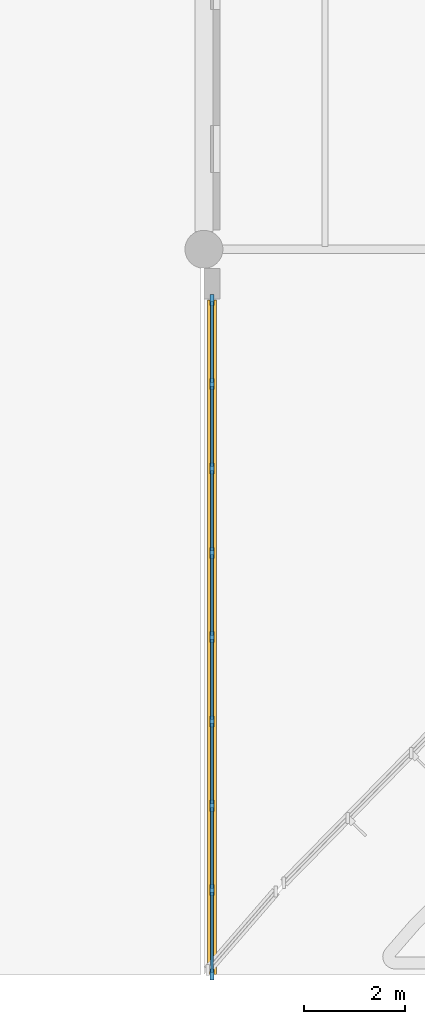
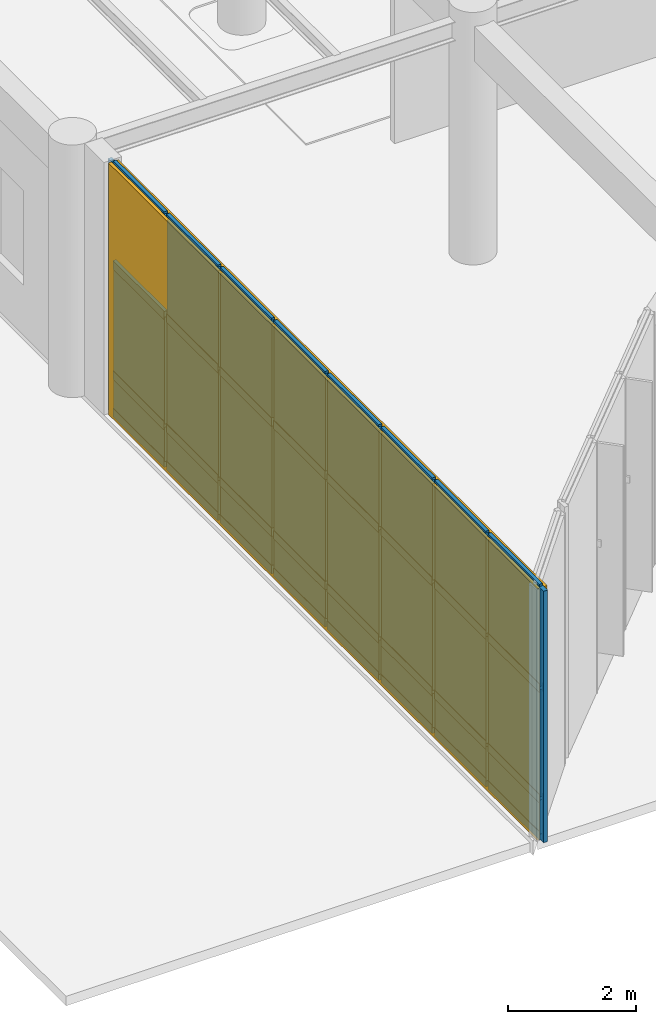
# One storey, part 55 of 122: 41 members, 23 plates, 1 curtain wall.
"""IFC4 building model written with IfcOpenShell, lengths in metres."""

from ifc_helpers import new_model, si_unit, direction, frame, frame_2d, origin, origin_2d, place, context, subcontext, project, spatial, rectangle, extrude, material, layer, layer_set, material_profile, profile_set, type_object, element, aggregate, save


model = new_model("IFC4")

# Units and contexts
model_context = context("Model", 3, precision=1e-05, world=origin(), true_north=direction((0.0, 1.0)))
body_context = subcontext(model_context, "Body", "Model", "MODEL_VIEW")
ifc_project = project(units=[si_unit("LENGTHUNIT", "METRE"), si_unit("AREAUNIT", "SQUARE_METRE"), si_unit("VOLUMEUNIT", "CUBIC_METRE"), si_unit("PLANEANGLEUNIT", "RADIAN"), si_unit("MASSUNIT", "GRAM", prefix="KILO")], contexts=[model_context])

# Member
ifc_material_1 = material(Name="Anodised Bronze Aluminium 6063-T6", Category="aluminium")
ifc_material_profile_1 = material_profile(ifc_material_1, rectangle(XDim=0.070068359375, YDim=0.219970703125, at=origin_2d()), Name="ALU MULLION 70x220")
ifc_profile_set_1 = profile_set([ifc_material_profile_1], Name="Anodised Bronze Aluminium 6063-T6")
member_type_1 = type_object("IfcMemberType", Name="Curtain-Wall Heavy Mullion 70x220", PredefinedType="MULLION", material=ifc_profile_set_1)
site_placement = place(None, origin())
building_placement = place(site_placement, origin())
storey_placement = place(building_placement, origin())
member_1_placement = place(storey_placement, frame((36.159912109375, 1.449951171875, 0.0), z_axis=(0.0, 0.0, 1.0), x_axis=(1.0, 0.0, 0.0)))
member_1 = element("IfcMember", 1, at=member_1_placement, type_object=member_type_1, Name="Mullion CWM-02 CW-V5-RET-W-L00-M01", PredefinedType="MULLION", context=body_context, shape_type="SweptSolid", body=[
    extrude(rectangle(XDim=0.070068359375, YDim=0.219970703125, at=origin_2d()), origin(), (0.0, 0.0, 1.0), 4.780029296875),
])

member_2_placement = place(storey_placement, frame((36.159912109375, 3.118896484375, 0.0), z_axis=(0.0, 0.0, 1.0), x_axis=(1.0, 0.0, 0.0)))
member_2 = element("IfcMember", 2, at=member_2_placement, type_object=member_type_1, Name="Mullion CWM-02 CW-V5-RET-W-L00-M02", PredefinedType="MULLION", context=body_context, shape_type="SweptSolid", body=[
    extrude(rectangle(XDim=0.070068359375, YDim=0.219970703125, at=origin_2d()), origin(), (0.0, 0.0, 1.0), 4.780029296875),
])

member_3_placement = place(storey_placement, frame((36.159912109375, 4.78759765625, 0.0), z_axis=(0.0, 0.0, 1.0), x_axis=(1.0, 0.0, 0.0)))
member_3 = element("IfcMember", 3, at=member_3_placement, type_object=member_type_1, Name="Mullion CWM-02 CW-V5-RET-W-L00-M03", PredefinedType="MULLION", context=body_context, shape_type="SweptSolid", body=[
    extrude(rectangle(XDim=0.070068359375, YDim=0.219970703125, at=origin_2d()), origin(), (0.0, 0.0, 1.0), 4.780029296875),
])

member_4_placement = place(storey_placement, frame((36.159912109375, 6.456298828125, 0.0), z_axis=(0.0, 0.0, 1.0), x_axis=(1.0, 0.0, 0.0)))
member_4 = element("IfcMember", 4, at=member_4_placement, type_object=member_type_1, Name="Mullion CWM-02 CW-V5-RET-W-L00-M04", PredefinedType="MULLION", context=body_context, shape_type="SweptSolid", body=[
    extrude(rectangle(XDim=0.070068359375, YDim=0.219970703125, at=origin_2d()), origin(), (0.0, 0.0, 1.0), 4.780029296875),
])

member_5_placement = place(storey_placement, frame((36.159912109375, 8.125, 0.0), z_axis=(0.0, 0.0, 1.0), x_axis=(1.0, 0.0, 0.0)))
member_5 = element("IfcMember", 5, at=member_5_placement, type_object=member_type_1, Name="Mullion CWM-02 CW-V5-RET-W-L00-M05", PredefinedType="MULLION", context=body_context, shape_type="SweptSolid", body=[
    extrude(rectangle(XDim=0.070068359375, YDim=0.219970703125, at=origin_2d()), origin(), (0.0, 0.0, 1.0), 4.780029296875),
])

member_6_placement = place(storey_placement, frame((36.159912109375, 9.793701171875, 0.0), z_axis=(0.0, 0.0, 1.0), x_axis=(1.0, 0.0, 0.0)))
member_6 = element("IfcMember", 6, at=member_6_placement, type_object=member_type_1, Name="Mullion CWM-02 CW-V5-RET-W-L00-M06", PredefinedType="MULLION", context=body_context, shape_type="SweptSolid", body=[
    extrude(rectangle(XDim=0.070068359375, YDim=0.219970703125, at=origin_2d()), origin(), (0.0, 0.0, 1.0), 4.780029296875),
])

member_7_placement = place(storey_placement, frame((36.159912109375, 11.46240234375, 0.0), z_axis=(0.0, 0.0, 1.0), x_axis=(1.0, 0.0, 0.0)))
member_7 = element("IfcMember", 7, at=member_7_placement, type_object=member_type_1, Name="Mullion CWM-02 CW-V5-RET-W-L00-M07", PredefinedType="MULLION", context=body_context, shape_type="SweptSolid", body=[
    extrude(rectangle(XDim=0.070068359375, YDim=0.219970703125, at=origin_2d()), origin(), (0.0, 0.0, 1.0), 4.780029296875),
])

member_8_placement = place(storey_placement, frame((36.159912109375, 13.13134765625, 0.0), z_axis=(0.0, 0.0, 1.0), x_axis=(1.0, 0.0, 0.0)))
member_8 = element("IfcMember", 8, at=member_8_placement, type_object=member_type_1, Name="Mullion CWM-02 CW-V5-RET-W-L00-M08", PredefinedType="MULLION", context=body_context, shape_type="SweptSolid", body=[
    extrude(rectangle(XDim=0.070068359375, YDim=0.219970703125, at=origin_2d()), origin(), (0.0, 0.0, 1.0), 4.780029296875),
])

member_9_placement = place(storey_placement, frame((36.159912109375, 14.800048828125, 0.0), z_axis=(0.0, 0.0, 1.0), x_axis=(1.0, 0.0, 0.0)))
member_9 = element("IfcMember", 9, at=member_9_placement, type_object=member_type_1, Name="Mullion CWM-02 CW-V5-RET-W-L00-M09", PredefinedType="MULLION", context=body_context, shape_type="SweptSolid", body=[
    extrude(rectangle(XDim=0.070068359375, YDim=0.219970703125, at=origin_2d()), origin(), (0.0, 0.0, 1.0), 4.780029296875),
])

ifc_material_profile_2 = material_profile(ifc_material_1, rectangle(XDim=0.06005859375, YDim=0.159912109375, at=origin_2d()), Name="ALU TRANSOM 60x160")
ifc_profile_set_2 = profile_set([ifc_material_profile_2], Name="Anodised Bronze Aluminium 6063-T6")
member_type_2 = type_object("IfcMemberType", Name="Curtain-Wall Heavy Transom 60x160", PredefinedType="USERDEFINED", material=ifc_profile_set_2)
member_10_placement = place(storey_placement, frame((36.159912109375, 1.485107421875, 0.0400390625), z_axis=(0.0, 1.0, 0.0), x_axis=(-1.0, 0.0, 0.0)))
member_10 = element("IfcMember", 10, at=member_10_placement, type_object=member_type_2, Name="Transom CWT-02 CW-V5-RET-W-L00-T01.1", ObjectType="TRANSOM", PredefinedType="USERDEFINED", context=body_context, shape_type="SweptSolid", body=[
    extrude(rectangle(XDim=0.06005859375, YDim=0.159912109375, at=origin_2d()), origin(), (0.0, 0.0, 1.0), 1.5986328125),
])

member_11_placement = place(storey_placement, frame((36.159912109375, 1.485107421875, 0.75), z_axis=(0.0, 1.0, 0.0), x_axis=(-1.0, 0.0, 0.0)))
member_11 = element("IfcMember", 11, at=member_11_placement, type_object=member_type_2, Name="Transom CWT-02 CW-V5-RET-W-L00-T01.2", ObjectType="TRANSOM", PredefinedType="USERDEFINED", context=body_context, shape_type="SweptSolid", body=[
    extrude(rectangle(XDim=0.06005859375, YDim=0.159912109375, at=origin_2d()), origin(), (0.0, 0.0, 1.0), 1.5986328125),
])

member_12_placement = place(storey_placement, frame((36.159912109375, 1.485107421875, 2.845703125), z_axis=(0.0, 1.0, 0.0), x_axis=(-1.0, 0.0, 0.0)))
member_12 = element("IfcMember", 12, at=member_12_placement, type_object=member_type_2, Name="Transom CWT-02 CW-V5-RET-W-L00-T01.3", ObjectType="TRANSOM", PredefinedType="USERDEFINED", context=body_context, shape_type="SweptSolid", body=[
    extrude(rectangle(XDim=0.06005859375, YDim=0.159912109375, at=origin_2d()), origin(), (0.0, 0.0, 1.0), 1.5986328125),
])

member_13_placement = place(storey_placement, frame((36.159912109375, 1.485107421875, 4.739990234375), z_axis=(0.0, 1.0, 0.0), x_axis=(-1.0, 0.0, 0.0)))
member_13 = element("IfcMember", 13, at=member_13_placement, type_object=member_type_2, Name="Transom CWT-02 CW-V5-RET-W-L00-T01.4", ObjectType="TRANSOM", PredefinedType="USERDEFINED", context=body_context, shape_type="SweptSolid", body=[
    extrude(rectangle(XDim=0.06005859375, YDim=0.159912109375, at=origin_2d()), origin(), (0.0, 0.0, 1.0), 1.5986328125),
])

member_14_placement = place(storey_placement, frame((36.159912109375, 3.15380859375, 0.0400390625), z_axis=(0.0, 1.0, 0.0), x_axis=(-1.0, 0.0, 0.0)))
member_14 = element("IfcMember", 14, at=member_14_placement, type_object=member_type_2, Name="Transom CWT-02 CW-V5-RET-W-L00-T02.1", ObjectType="TRANSOM", PredefinedType="USERDEFINED", context=body_context, shape_type="SweptSolid", body=[
    extrude(rectangle(XDim=0.06005859375, YDim=0.159912109375, at=origin_2d()), origin(), (0.0, 0.0, 1.0), 1.5986328125),
])

member_15_placement = place(storey_placement, frame((36.159912109375, 3.15380859375, 0.75), z_axis=(0.0, 1.0, 0.0), x_axis=(-1.0, 0.0, 0.0)))
member_15 = element("IfcMember", 15, at=member_15_placement, type_object=member_type_2, Name="Transom CWT-02 CW-V5-RET-W-L00-T02.2", ObjectType="TRANSOM", PredefinedType="USERDEFINED", context=body_context, shape_type="SweptSolid", body=[
    extrude(rectangle(XDim=0.06005859375, YDim=0.159912109375, at=origin_2d()), origin(), (0.0, 0.0, 1.0), 1.5986328125),
])

member_16_placement = place(storey_placement, frame((36.159912109375, 3.15380859375, 2.845703125), z_axis=(0.0, 1.0, 0.0), x_axis=(-1.0, 0.0, 0.0)))
member_16 = element("IfcMember", 16, at=member_16_placement, type_object=member_type_2, Name="Transom CWT-02 CW-V5-RET-W-L00-T02.3", ObjectType="TRANSOM", PredefinedType="USERDEFINED", context=body_context, shape_type="SweptSolid", body=[
    extrude(rectangle(XDim=0.06005859375, YDim=0.159912109375, at=origin_2d()), origin(), (0.0, 0.0, 1.0), 1.5986328125),
])

member_17_placement = place(storey_placement, frame((36.159912109375, 3.15380859375, 4.739990234375), z_axis=(0.0, 1.0, 0.0), x_axis=(-1.0, 0.0, 0.0)))
member_17 = element("IfcMember", 17, at=member_17_placement, type_object=member_type_2, Name="Transom CWT-02 CW-V5-RET-W-L00-T02.4", ObjectType="TRANSOM", PredefinedType="USERDEFINED", context=body_context, shape_type="SweptSolid", body=[
    extrude(rectangle(XDim=0.06005859375, YDim=0.159912109375, at=origin_2d()), origin(), (0.0, 0.0, 1.0), 1.5986328125),
])

member_18_placement = place(storey_placement, frame((36.159912109375, 4.822509765625, 0.0400390625), z_axis=(0.0, 1.0, 0.0), x_axis=(-1.0, 0.0, 0.0)))
member_18 = element("IfcMember", 18, at=member_18_placement, type_object=member_type_2, Name="Transom CWT-02 CW-V5-RET-W-L00-T03.1", ObjectType="TRANSOM", PredefinedType="USERDEFINED", context=body_context, shape_type="SweptSolid", body=[
    extrude(rectangle(XDim=0.06005859375, YDim=0.159912109375, at=origin_2d()), origin(), (0.0, 0.0, 1.0), 1.598876953125),
])

member_19_placement = place(storey_placement, frame((36.159912109375, 4.822509765625, 0.75), z_axis=(0.0, 1.0, 0.0), x_axis=(-1.0, 0.0, 0.0)))
member_19 = element("IfcMember", 19, at=member_19_placement, type_object=member_type_2, Name="Transom CWT-02 CW-V5-RET-W-L00-T03.2", ObjectType="TRANSOM", PredefinedType="USERDEFINED", context=body_context, shape_type="SweptSolid", body=[
    extrude(rectangle(XDim=0.06005859375, YDim=0.159912109375, at=origin_2d()), origin(), (0.0, 0.0, 1.0), 1.598876953125),
])

member_20_placement = place(storey_placement, frame((36.159912109375, 4.822509765625, 2.845703125), z_axis=(0.0, 1.0, 0.0), x_axis=(-1.0, 0.0, 0.0)))
member_20 = element("IfcMember", 20, at=member_20_placement, type_object=member_type_2, Name="Transom CWT-02 CW-V5-RET-W-L00-T03.3", ObjectType="TRANSOM", PredefinedType="USERDEFINED", context=body_context, shape_type="SweptSolid", body=[
    extrude(rectangle(XDim=0.06005859375, YDim=0.159912109375, at=origin_2d()), origin(), (0.0, 0.0, 1.0), 1.598876953125),
])

member_21_placement = place(storey_placement, frame((36.159912109375, 4.822509765625, 4.739990234375), z_axis=(0.0, 1.0, 0.0), x_axis=(-1.0, 0.0, 0.0)))
member_21 = element("IfcMember", 21, at=member_21_placement, type_object=member_type_2, Name="Transom CWT-02 CW-V5-RET-W-L00-T03.4", ObjectType="TRANSOM", PredefinedType="USERDEFINED", context=body_context, shape_type="SweptSolid", body=[
    extrude(rectangle(XDim=0.06005859375, YDim=0.159912109375, at=origin_2d()), origin(), (0.0, 0.0, 1.0), 1.598876953125),
])

member_22_placement = place(storey_placement, frame((36.159912109375, 6.4912109375, 0.0400390625), z_axis=(0.0, 1.0, 0.0), x_axis=(-1.0, 0.0, 0.0)))
member_22 = element("IfcMember", 22, at=member_22_placement, type_object=member_type_2, Name="Transom CWT-02 CW-V5-RET-W-L00-T04.1", ObjectType="TRANSOM", PredefinedType="USERDEFINED", context=body_context, shape_type="SweptSolid", body=[
    extrude(rectangle(XDim=0.06005859375, YDim=0.159912109375, at=origin_2d()), origin(), (0.0, 0.0, 1.0), 1.598876953125),
])

member_23_placement = place(storey_placement, frame((36.159912109375, 6.4912109375, 0.75), z_axis=(0.0, 1.0, 0.0), x_axis=(-1.0, 0.0, 0.0)))
member_23 = element("IfcMember", 23, at=member_23_placement, type_object=member_type_2, Name="Transom CWT-02 CW-V5-RET-W-L00-T04.2", ObjectType="TRANSOM", PredefinedType="USERDEFINED", context=body_context, shape_type="SweptSolid", body=[
    extrude(rectangle(XDim=0.06005859375, YDim=0.159912109375, at=origin_2d()), origin(), (0.0, 0.0, 1.0), 1.598876953125),
])

member_24_placement = place(storey_placement, frame((36.159912109375, 6.4912109375, 2.845703125), z_axis=(0.0, 1.0, 0.0), x_axis=(-1.0, 0.0, 0.0)))
member_24 = element("IfcMember", 24, at=member_24_placement, type_object=member_type_2, Name="Transom CWT-02 CW-V5-RET-W-L00-T04.3", ObjectType="TRANSOM", PredefinedType="USERDEFINED", context=body_context, shape_type="SweptSolid", body=[
    extrude(rectangle(XDim=0.06005859375, YDim=0.159912109375, at=origin_2d()), origin(), (0.0, 0.0, 1.0), 1.598876953125),
])

member_25_placement = place(storey_placement, frame((36.159912109375, 6.4912109375, 4.739990234375), z_axis=(0.0, 1.0, 0.0), x_axis=(-1.0, 0.0, 0.0)))
member_25 = element("IfcMember", 25, at=member_25_placement, type_object=member_type_2, Name="Transom CWT-02 CW-V5-RET-W-L00-T04.4", ObjectType="TRANSOM", PredefinedType="USERDEFINED", context=body_context, shape_type="SweptSolid", body=[
    extrude(rectangle(XDim=0.06005859375, YDim=0.159912109375, at=origin_2d()), origin(), (0.0, 0.0, 1.0), 1.598876953125),
])

member_26_placement = place(storey_placement, frame((36.159912109375, 8.159912109375, 0.0400390625), z_axis=(0.0, 1.0, 0.0), x_axis=(-1.0, 0.0, 0.0)))
member_26 = element("IfcMember", 26, at=member_26_placement, type_object=member_type_2, Name="Transom CWT-02 CW-V5-RET-W-L00-T05.1", ObjectType="TRANSOM", PredefinedType="USERDEFINED", context=body_context, shape_type="SweptSolid", body=[
    extrude(rectangle(XDim=0.06005859375, YDim=0.159912109375, at=origin_2d()), origin(), (0.0, 0.0, 1.0), 1.598876953125),
])

member_27_placement = place(storey_placement, frame((36.159912109375, 8.159912109375, 0.75), z_axis=(0.0, 1.0, 0.0), x_axis=(-1.0, 0.0, 0.0)))
member_27 = element("IfcMember", 27, at=member_27_placement, type_object=member_type_2, Name="Transom CWT-02 CW-V5-RET-W-L00-T05.2", ObjectType="TRANSOM", PredefinedType="USERDEFINED", context=body_context, shape_type="SweptSolid", body=[
    extrude(rectangle(XDim=0.06005859375, YDim=0.159912109375, at=origin_2d()), origin(), (0.0, 0.0, 1.0), 1.598876953125),
])

member_28_placement = place(storey_placement, frame((36.159912109375, 8.159912109375, 2.845703125), z_axis=(0.0, 1.0, 0.0), x_axis=(-1.0, 0.0, 0.0)))
member_28 = element("IfcMember", 28, at=member_28_placement, type_object=member_type_2, Name="Transom CWT-02 CW-V5-RET-W-L00-T05.3", ObjectType="TRANSOM", PredefinedType="USERDEFINED", context=body_context, shape_type="SweptSolid", body=[
    extrude(rectangle(XDim=0.06005859375, YDim=0.159912109375, at=origin_2d()), origin(), (0.0, 0.0, 1.0), 1.598876953125),
])

member_29_placement = place(storey_placement, frame((36.159912109375, 8.159912109375, 4.739990234375), z_axis=(0.0, 1.0, 0.0), x_axis=(-1.0, 0.0, 0.0)))
member_29 = element("IfcMember", 29, at=member_29_placement, type_object=member_type_2, Name="Transom CWT-02 CW-V5-RET-W-L00-T05.4", ObjectType="TRANSOM", PredefinedType="USERDEFINED", context=body_context, shape_type="SweptSolid", body=[
    extrude(rectangle(XDim=0.06005859375, YDim=0.159912109375, at=origin_2d()), origin(), (0.0, 0.0, 1.0), 1.598876953125),
])

member_30_placement = place(storey_placement, frame((36.159912109375, 9.82861328125, 0.0400390625), z_axis=(0.0, 1.0, 0.0), x_axis=(-1.0, 0.0, 0.0)))
member_30 = element("IfcMember", 30, at=member_30_placement, type_object=member_type_2, Name="Transom CWT-02 CW-V5-RET-W-L00-T06.1", ObjectType="TRANSOM", PredefinedType="USERDEFINED", context=body_context, shape_type="SweptSolid", body=[
    extrude(rectangle(XDim=0.06005859375, YDim=0.159912109375, at=origin_2d()), origin(), (0.0, 0.0, 1.0), 1.598876953125),
])

member_31_placement = place(storey_placement, frame((36.159912109375, 9.82861328125, 0.75), z_axis=(0.0, 1.0, 0.0), x_axis=(-1.0, 0.0, 0.0)))
member_31 = element("IfcMember", 31, at=member_31_placement, type_object=member_type_2, Name="Transom CWT-02 CW-V5-RET-W-L00-T06.2", ObjectType="TRANSOM", PredefinedType="USERDEFINED", context=body_context, shape_type="SweptSolid", body=[
    extrude(rectangle(XDim=0.06005859375, YDim=0.159912109375, at=origin_2d()), origin(), (0.0, 0.0, 1.0), 1.598876953125),
])

member_32_placement = place(storey_placement, frame((36.159912109375, 9.82861328125, 2.845703125), z_axis=(0.0, 1.0, 0.0), x_axis=(-1.0, 0.0, 0.0)))
member_32 = element("IfcMember", 32, at=member_32_placement, type_object=member_type_2, Name="Transom CWT-02 CW-V5-RET-W-L00-T06.3", ObjectType="TRANSOM", PredefinedType="USERDEFINED", context=body_context, shape_type="SweptSolid", body=[
    extrude(rectangle(XDim=0.06005859375, YDim=0.159912109375, at=origin_2d()), origin(), (0.0, 0.0, 1.0), 1.598876953125),
])

member_33_placement = place(storey_placement, frame((36.159912109375, 9.82861328125, 4.739990234375), z_axis=(0.0, 1.0, 0.0), x_axis=(-1.0, 0.0, 0.0)))
member_33 = element("IfcMember", 33, at=member_33_placement, type_object=member_type_2, Name="Transom CWT-02 CW-V5-RET-W-L00-T06.4", ObjectType="TRANSOM", PredefinedType="USERDEFINED", context=body_context, shape_type="SweptSolid", body=[
    extrude(rectangle(XDim=0.06005859375, YDim=0.159912109375, at=origin_2d()), origin(), (0.0, 0.0, 1.0), 1.598876953125),
])

member_34_placement = place(storey_placement, frame((36.159912109375, 11.49755859375, 0.0400390625), z_axis=(0.0, 1.0, 0.0), x_axis=(-1.0, 0.0, 0.0)))
member_34 = element("IfcMember", 34, at=member_34_placement, type_object=member_type_2, Name="Transom CWT-02 CW-V5-RET-W-L00-T07.1", ObjectType="TRANSOM", PredefinedType="USERDEFINED", context=body_context, shape_type="SweptSolid", body=[
    extrude(rectangle(XDim=0.06005859375, YDim=0.159912109375, at=origin_2d()), origin(), (0.0, 0.0, 1.0), 1.5986328125),
])

member_35_placement = place(storey_placement, frame((36.159912109375, 11.49755859375, 0.75), z_axis=(0.0, 1.0, 0.0), x_axis=(-1.0, 0.0, 0.0)))
member_35 = element("IfcMember", 35, at=member_35_placement, type_object=member_type_2, Name="Transom CWT-02 CW-V5-RET-W-L00-T07.2", ObjectType="TRANSOM", PredefinedType="USERDEFINED", context=body_context, shape_type="SweptSolid", body=[
    extrude(rectangle(XDim=0.06005859375, YDim=0.159912109375, at=origin_2d()), origin(), (0.0, 0.0, 1.0), 1.5986328125),
])

member_36_placement = place(storey_placement, frame((36.159912109375, 11.49755859375, 2.845703125), z_axis=(0.0, 1.0, 0.0), x_axis=(-1.0, 0.0, 0.0)))
member_36 = element("IfcMember", 36, at=member_36_placement, type_object=member_type_2, Name="Transom CWT-02 CW-V5-RET-W-L00-T07.3", ObjectType="TRANSOM", PredefinedType="USERDEFINED", context=body_context, shape_type="SweptSolid", body=[
    extrude(rectangle(XDim=0.06005859375, YDim=0.159912109375, at=origin_2d()), origin(), (0.0, 0.0, 1.0), 1.5986328125),
])

member_37_placement = place(storey_placement, frame((36.159912109375, 11.49755859375, 4.739990234375), z_axis=(0.0, 1.0, 0.0), x_axis=(-1.0, 0.0, 0.0)))
member_37 = element("IfcMember", 37, at=member_37_placement, type_object=member_type_2, Name="Transom CWT-02 CW-V5-RET-W-L00-T07.4", ObjectType="TRANSOM", PredefinedType="USERDEFINED", context=body_context, shape_type="SweptSolid", body=[
    extrude(rectangle(XDim=0.06005859375, YDim=0.159912109375, at=origin_2d()), origin(), (0.0, 0.0, 1.0), 1.5986328125),
])

member_38_placement = place(storey_placement, frame((36.159912109375, 13.166259765625, 0.0400390625), z_axis=(0.0, 1.0, 0.0), x_axis=(-1.0, 0.0, 0.0)))
member_38 = element("IfcMember", 38, at=member_38_placement, type_object=member_type_2, Name="Transom CWT-02 CW-V5-RET-W-L00-T08.1", ObjectType="TRANSOM", PredefinedType="USERDEFINED", context=body_context, shape_type="SweptSolid", body=[
    extrude(rectangle(XDim=0.06005859375, YDim=0.159912109375, at=origin_2d()), origin(), (0.0, 0.0, 1.0), 1.5986328125),
])

member_39_placement = place(storey_placement, frame((36.159912109375, 13.166259765625, 0.75), z_axis=(0.0, 1.0, 0.0), x_axis=(-1.0, 0.0, 0.0)))
member_39 = element("IfcMember", 39, at=member_39_placement, type_object=member_type_2, Name="Transom CWT-02 CW-V5-RET-W-L00-T08.2", ObjectType="TRANSOM", PredefinedType="USERDEFINED", context=body_context, shape_type="SweptSolid", body=[
    extrude(rectangle(XDim=0.06005859375, YDim=0.159912109375, at=origin_2d()), origin(), (0.0, 0.0, 1.0), 1.5986328125),
])

member_40_placement = place(storey_placement, frame((36.159912109375, 13.166259765625, 2.845703125), z_axis=(0.0, 1.0, 0.0), x_axis=(-1.0, 0.0, 0.0)))
member_40 = element("IfcMember", 40, at=member_40_placement, type_object=member_type_2, Name="Transom CWT-02 CW-V5-RET-W-L00-T08.3", ObjectType="TRANSOM", PredefinedType="USERDEFINED", context=body_context, shape_type="SweptSolid", body=[
    extrude(rectangle(XDim=0.06005859375, YDim=0.159912109375, at=origin_2d()), origin(), (0.0, 0.0, 1.0), 1.5986328125),
])

member_41_placement = place(storey_placement, frame((36.159912109375, 13.166259765625, 4.739990234375), z_axis=(0.0, 1.0, 0.0), x_axis=(-1.0, 0.0, 0.0)))
member_41 = element("IfcMember", 41, at=member_41_placement, type_object=member_type_2, Name="Transom CWT-02 CW-V5-RET-W-L00-T08.4", ObjectType="TRANSOM", PredefinedType="USERDEFINED", context=body_context, shape_type="SweptSolid", body=[
    extrude(rectangle(XDim=0.06005859375, YDim=0.159912109375, at=origin_2d()), origin(), (0.0, 0.0, 1.0), 1.5986328125),
])

# Plate
ifc_material_2 = material(Name="Double Low-E Acoustic Laminated Glass", Category="glass")
ifc_layer_1 = layer(ifc_material_2, 0.0439453125, Name="Double Low-E Acoustic Laminated Glass")
ifc_layer_set_1 = layer_set([ifc_layer_1], Name="Double Low-E Acoustic Laminated Glass")
plate_type_1 = type_object("IfcPlateType", Name="Acoustic Laminated Low-E Glazing Unit 44", PredefinedType="CURTAIN_PANEL", material=ifc_layer_set_1)
plate_1_placement = place(storey_placement, frame((36.159912109375, 2.284423828125, 0.780029296875), z_axis=(0.0, 0.0, 1.0), x_axis=(0.0, 1.0, 0.0)))
plate_1 = element("IfcPlate", 42, at=plate_1_placement, type_object=plate_type_1, Name="Curtain Panel CWP-01 CW-V5-RET-W-L00-P01.2", PredefinedType="CURTAIN_PANEL", context=body_context, shape_type="SweptSolid", body=[
    extrude(rectangle(XDim=1.598876953125, YDim=0.0439453125, at=origin_2d()), origin(), (0.0, 0.0, 1.0), 2.03564453125),
])

plate_2_placement = place(storey_placement, frame((36.159912109375, 2.284423828125, 2.87548828125), z_axis=(0.0, 0.0, 1.0), x_axis=(0.0, 1.0, 0.0)))
plate_2 = element("IfcPlate", 43, at=plate_2_placement, type_object=plate_type_1, Name="Curtain Panel CWP-01 CW-V5-RET-W-L00-P01.3", PredefinedType="CURTAIN_PANEL", context=body_context, shape_type="SweptSolid", body=[
    extrude(rectangle(XDim=1.598876953125, YDim=0.0439453125, at=origin_2d()), origin(), (0.0, 0.0, 1.0), 1.83447265625),
])

plate_3_placement = place(storey_placement, frame((36.159912109375, 3.953125, 0.780029296875), z_axis=(0.0, 0.0, 1.0), x_axis=(0.0, 1.0, 0.0)))
plate_3 = element("IfcPlate", 44, at=plate_3_placement, type_object=plate_type_1, Name="Curtain Panel CWP-01 CW-V5-RET-W-L00-P02.2", PredefinedType="CURTAIN_PANEL", context=body_context, shape_type="SweptSolid", body=[
    extrude(rectangle(XDim=1.598876953125, YDim=0.0439453125, at=origin_2d()), origin(), (0.0, 0.0, 1.0), 2.03564453125),
])

plate_4_placement = place(storey_placement, frame((36.159912109375, 3.953125, 2.87548828125), z_axis=(0.0, 0.0, 1.0), x_axis=(0.0, 1.0, 0.0)))
plate_4 = element("IfcPlate", 45, at=plate_4_placement, type_object=plate_type_1, Name="Curtain Panel CWP-01 CW-V5-RET-W-L00-P02.3", PredefinedType="CURTAIN_PANEL", context=body_context, shape_type="SweptSolid", body=[
    extrude(rectangle(XDim=1.598876953125, YDim=0.0439453125, at=origin_2d()), origin(), (0.0, 0.0, 1.0), 1.83447265625),
])

plate_5_placement = place(storey_placement, frame((36.159912109375, 5.621826171875, 0.780029296875), z_axis=(0.0, 0.0, 1.0), x_axis=(0.0, 1.0, 0.0)))
plate_5 = element("IfcPlate", 46, at=plate_5_placement, type_object=plate_type_1, Name="Curtain Panel CWP-01 CW-V5-RET-W-L00-P03.2", PredefinedType="CURTAIN_PANEL", context=body_context, shape_type="SweptSolid", body=[
    extrude(rectangle(XDim=1.5986328125, YDim=0.0439453125, at=origin_2d()), origin(), (0.0, 0.0, 1.0), 2.03564453125),
])

plate_6_placement = place(storey_placement, frame((36.159912109375, 5.621826171875, 2.87548828125), z_axis=(0.0, 0.0, 1.0), x_axis=(0.0, 1.0, 0.0)))
plate_6 = element("IfcPlate", 47, at=plate_6_placement, type_object=plate_type_1, Name="Curtain Panel CWP-01 CW-V5-RET-W-L00-P03.3", PredefinedType="CURTAIN_PANEL", context=body_context, shape_type="SweptSolid", body=[
    extrude(rectangle(XDim=1.5986328125, YDim=0.0439453125, at=origin_2d()), origin(), (0.0, 0.0, 1.0), 1.83447265625),
])

plate_7_placement = place(storey_placement, frame((36.159912109375, 7.29052734375, 0.780029296875), z_axis=(0.0, 0.0, 1.0), x_axis=(0.0, 1.0, 0.0)))
plate_7 = element("IfcPlate", 48, at=plate_7_placement, type_object=plate_type_1, Name="Curtain Panel CWP-01 CW-V5-RET-W-L00-P04.2", PredefinedType="CURTAIN_PANEL", context=body_context, shape_type="SweptSolid", body=[
    extrude(rectangle(XDim=1.5986328125, YDim=0.0439453125, at=origin_2d()), origin(), (0.0, 0.0, 1.0), 2.03564453125),
])

plate_8_placement = place(storey_placement, frame((36.159912109375, 7.29052734375, 2.87548828125), z_axis=(0.0, 0.0, 1.0), x_axis=(0.0, 1.0, 0.0)))
plate_8 = element("IfcPlate", 49, at=plate_8_placement, type_object=plate_type_1, Name="Curtain Panel CWP-01 CW-V5-RET-W-L00-P04.3", PredefinedType="CURTAIN_PANEL", context=body_context, shape_type="SweptSolid", body=[
    extrude(rectangle(XDim=1.5986328125, YDim=0.0439453125, at=origin_2d()), origin(), (0.0, 0.0, 1.0), 1.83447265625),
])

plate_9_placement = place(storey_placement, frame((36.159912109375, 8.95947265625, 0.780029296875), z_axis=(0.0, 0.0, 1.0), x_axis=(0.0, 1.0, 0.0)))
plate_9 = element("IfcPlate", 50, at=plate_9_placement, type_object=plate_type_1, Name="Curtain Panel CWP-01 CW-V5-RET-W-L00-P05.2", PredefinedType="CURTAIN_PANEL", context=body_context, shape_type="SweptSolid", body=[
    extrude(rectangle(XDim=1.5986328125, YDim=0.0439453125, at=origin_2d()), origin(), (0.0, 0.0, 1.0), 2.03564453125),
])

plate_10_placement = place(storey_placement, frame((36.159912109375, 8.95947265625, 2.87548828125), z_axis=(0.0, 0.0, 1.0), x_axis=(0.0, 1.0, 0.0)))
plate_10 = element("IfcPlate", 51, at=plate_10_placement, type_object=plate_type_1, Name="Curtain Panel CWP-01 CW-V5-RET-W-L00-P05.3", PredefinedType="CURTAIN_PANEL", context=body_context, shape_type="SweptSolid", body=[
    extrude(rectangle(XDim=1.5986328125, YDim=0.0439453125, at=origin_2d()), origin(), (0.0, 0.0, 1.0), 1.83447265625),
])

plate_11_placement = place(storey_placement, frame((36.159912109375, 10.628173828125, 0.780029296875), z_axis=(0.0, 0.0, 1.0), x_axis=(0.0, 1.0, 0.0)))
plate_11 = element("IfcPlate", 52, at=plate_11_placement, type_object=plate_type_1, Name="Curtain Panel CWP-01 CW-V5-RET-W-L00-P06.2", PredefinedType="CURTAIN_PANEL", context=body_context, shape_type="SweptSolid", body=[
    extrude(rectangle(XDim=1.598876953125, YDim=0.0439453125, at=origin_2d()), origin(), (0.0, 0.0, 1.0), 2.03564453125),
])

plate_12_placement = place(storey_placement, frame((36.159912109375, 10.628173828125, 2.87548828125), z_axis=(0.0, 0.0, 1.0), x_axis=(0.0, 1.0, 0.0)))
plate_12 = element("IfcPlate", 53, at=plate_12_placement, type_object=plate_type_1, Name="Curtain Panel CWP-01 CW-V5-RET-W-L00-P06.3", PredefinedType="CURTAIN_PANEL", context=body_context, shape_type="SweptSolid", body=[
    extrude(rectangle(XDim=1.598876953125, YDim=0.0439453125, at=origin_2d()), origin(), (0.0, 0.0, 1.0), 1.83447265625),
])

plate_13_placement = place(storey_placement, frame((36.159912109375, 12.296875, 0.780029296875), z_axis=(0.0, 0.0, 1.0), x_axis=(0.0, 1.0, 0.0)))
plate_13 = element("IfcPlate", 54, at=plate_13_placement, type_object=plate_type_1, Name="Curtain Panel CWP-01 CW-V5-RET-W-L00-P07.2", PredefinedType="CURTAIN_PANEL", context=body_context, shape_type="SweptSolid", body=[
    extrude(rectangle(XDim=1.598876953125, YDim=0.0439453125, at=origin_2d()), origin(), (0.0, 0.0, 1.0), 2.03564453125),
])

plate_14_placement = place(storey_placement, frame((36.159912109375, 12.296875, 2.87548828125), z_axis=(0.0, 0.0, 1.0), x_axis=(0.0, 1.0, 0.0)))
plate_14 = element("IfcPlate", 55, at=plate_14_placement, type_object=plate_type_1, Name="Curtain Panel CWP-01 CW-V5-RET-W-L00-P07.3", PredefinedType="CURTAIN_PANEL", context=body_context, shape_type="SweptSolid", body=[
    extrude(rectangle(XDim=1.598876953125, YDim=0.0439453125, at=origin_2d()), origin(), (0.0, 0.0, 1.0), 1.83447265625),
])

plate_15_placement = place(storey_placement, frame((36.159912109375, 13.965576171875, 0.780029296875), z_axis=(0.0, 0.0, 1.0), x_axis=(0.0, 1.0, 0.0)))
plate_15 = element("IfcPlate", 56, at=plate_15_placement, type_object=plate_type_1, Name="Curtain Panel CWP-01 CW-V5-RET-W-L00-P08.2", PredefinedType="CURTAIN_PANEL", context=body_context, shape_type="SweptSolid", body=[
    extrude(rectangle(XDim=1.5986328125, YDim=0.0439453125, at=origin_2d()), origin(), (0.0, 0.0, 1.0), 2.03564453125),
])

ifc_material_3 = material(Name="Ceramic-Fritted Tempered Laminated Glass", Category="glass")
ifc_layer_2 = layer(ifc_material_3, 0.0458984375, Name="Ceramic-Fritted Tempered Laminated Glass")
ifc_layer_set_2 = layer_set([ifc_layer_2], Name="Ceramic-Fritted Tempered Laminated Glass")
plate_type_2 = type_object("IfcPlateType", Name="Ceramic-Frit Acoustic Spandrel Glazing 46", PredefinedType="CURTAIN_PANEL", material=ifc_layer_set_2)
plate_16_placement = place(storey_placement, frame((36.159912109375, 2.284423828125, 0.070068359375), z_axis=(0.0, 0.0, 1.0), x_axis=(0.0, 1.0, 0.0)))
plate_16 = element("IfcPlate", 57, at=plate_16_placement, type_object=plate_type_2, Name="Curtain Panel CWP-04 CW-V5-RET-W-L00-P01.1", PredefinedType="CURTAIN_PANEL", context=body_context, shape_type="SweptSolid", body=[
    extrude(rectangle(XDim=1.598876953125, YDim=0.0458984375, at=origin_2d()), origin(), (0.0, 0.0, 1.0), 0.64990234375),
])

plate_17_placement = place(storey_placement, frame((36.159912109375, 3.953125, 0.070068359375), z_axis=(0.0, 0.0, 1.0), x_axis=(0.0, 1.0, 0.0)))
plate_17 = element("IfcPlate", 58, at=plate_17_placement, type_object=plate_type_2, Name="Curtain Panel CWP-04 CW-V5-RET-W-L00-P02.1", PredefinedType="CURTAIN_PANEL", context=body_context, shape_type="SweptSolid", body=[
    extrude(rectangle(XDim=1.598876953125, YDim=0.0458984375, at=origin_2d()), origin(), (0.0, 0.0, 1.0), 0.64990234375),
])

plate_18_placement = place(storey_placement, frame((36.159912109375, 5.621826171875, 0.070068359375), z_axis=(0.0, 0.0, 1.0), x_axis=(0.0, 1.0, 0.0)))
plate_18 = element("IfcPlate", 59, at=plate_18_placement, type_object=plate_type_2, Name="Curtain Panel CWP-04 CW-V5-RET-W-L00-P03.1", PredefinedType="CURTAIN_PANEL", context=body_context, shape_type="SweptSolid", body=[
    extrude(rectangle(XDim=1.5986328125, YDim=0.0458984375, at=origin_2d()), origin(), (0.0, 0.0, 1.0), 0.64990234375),
])

plate_19_placement = place(storey_placement, frame((36.159912109375, 7.29052734375, 0.070068359375), z_axis=(0.0, 0.0, 1.0), x_axis=(0.0, 1.0, 0.0)))
plate_19 = element("IfcPlate", 60, at=plate_19_placement, type_object=plate_type_2, Name="Curtain Panel CWP-04 CW-V5-RET-W-L00-P04.1", PredefinedType="CURTAIN_PANEL", context=body_context, shape_type="SweptSolid", body=[
    extrude(rectangle(XDim=1.5986328125, YDim=0.0458984375, at=origin_2d()), origin(), (0.0, 0.0, 1.0), 0.64990234375),
])

plate_20_placement = place(storey_placement, frame((36.159912109375, 8.95947265625, 0.070068359375), z_axis=(0.0, 0.0, 1.0), x_axis=(0.0, 1.0, 0.0)))
plate_20 = element("IfcPlate", 61, at=plate_20_placement, type_object=plate_type_2, Name="Curtain Panel CWP-04 CW-V5-RET-W-L00-P05.1", PredefinedType="CURTAIN_PANEL", context=body_context, shape_type="SweptSolid", body=[
    extrude(rectangle(XDim=1.5986328125, YDim=0.0458984375, at=origin_2d()), origin(), (0.0, 0.0, 1.0), 0.64990234375),
])

plate_21_placement = place(storey_placement, frame((36.159912109375, 10.628173828125, 0.070068359375), z_axis=(0.0, 0.0, 1.0), x_axis=(0.0, 1.0, 0.0)))
plate_21 = element("IfcPlate", 62, at=plate_21_placement, type_object=plate_type_2, Name="Curtain Panel CWP-04 CW-V5-RET-W-L00-P06.1", PredefinedType="CURTAIN_PANEL", context=body_context, shape_type="SweptSolid", body=[
    extrude(rectangle(XDim=1.598876953125, YDim=0.0458984375, at=origin_2d()), origin(), (0.0, 0.0, 1.0), 0.64990234375),
])

plate_22_placement = place(storey_placement, frame((36.159912109375, 12.296875, 0.070068359375), z_axis=(0.0, 0.0, 1.0), x_axis=(0.0, 1.0, 0.0)))
plate_22 = element("IfcPlate", 63, at=plate_22_placement, type_object=plate_type_2, Name="Curtain Panel CWP-04 CW-V5-RET-W-L00-P07.1", PredefinedType="CURTAIN_PANEL", context=body_context, shape_type="SweptSolid", body=[
    extrude(rectangle(XDim=1.598876953125, YDim=0.0458984375, at=origin_2d()), origin(), (0.0, 0.0, 1.0), 0.64990234375),
])

plate_23_placement = place(storey_placement, frame((36.159912109375, 13.965576171875, 0.070068359375), z_axis=(0.0, 0.0, 1.0), x_axis=(0.0, 1.0, 0.0)))
plate_23 = element("IfcPlate", 64, at=plate_23_placement, type_object=plate_type_2, Name="Curtain Panel CWP-04 CW-V5-RET-W-L00-P08.1", PredefinedType="CURTAIN_PANEL", context=body_context, shape_type="SweptSolid", body=[
    extrude(rectangle(XDim=1.5986328125, YDim=0.0458984375, at=origin_2d()), origin(), (0.0, 0.0, 1.0), 0.64990234375),
])

# Site, building, storey
site = spatial("IfcSite", under=ifc_project, at=site_placement, CompositionType="ELEMENT")
building = spatial("IfcBuilding", under=site, at=building_placement, Name="Tazoul Stagehouse", CompositionType="ELEMENT")
storey = spatial("IfcBuildingStorey", under=building, at=storey_placement, Name="L00", CompositionType="ELEMENT", Elevation=0.0)

# Curtain wall
curtain_wall_type = type_object("IfcCurtainWallType", Name="Crescent Double-Skin Acoustic Curtain Wall", PredefinedType="NOTDEFINED", material=ifc_material_1)
curtain_wall_placement = place(storey_placement, frame((36.159912109375, 1.449951171875, 0.0), z_axis=(0.0, 0.0, 1.0), x_axis=(0.0, 1.0, 0.0)))
curtain_wall = element("IfcCurtainWall", 65, at=curtain_wall_placement, inside=storey, type_object=curtain_wall_type, Name="L00 Curtain Wall CW-01 (CW-V5-RET-W-L00)", PredefinedType="NOTDEFINED", context=body_context, shape_type="SweptSolid", body=[
    extrude(rectangle(XDim=13.35009765625, YDim=0.179931640625, at=frame_2d((6.675048828125, 0.0))), origin(), (0.0, 0.0, 1.0), 4.780029296875),
])

aggregate(curtain_wall, [member_1, member_2, member_3, member_4, member_5, member_6, member_7, member_8, member_9, member_10, member_11, member_12, member_13, plate_16, plate_1, plate_2, member_14, member_15, member_16, member_17, plate_17, plate_3, plate_4, member_18, member_19, member_20, member_21, plate_18, plate_5, plate_6, member_22, member_23, member_24, member_25, plate_19, plate_7, plate_8, member_26, member_27, member_28, member_29, plate_20, plate_9, plate_10, member_30, member_31, member_32, member_33, plate_21, plate_11, plate_12, member_34, member_35, member_36, member_37, plate_22, plate_13, plate_14, member_38, member_39, member_40, member_41, plate_23, plate_15])

save(model, "model.ifc")
